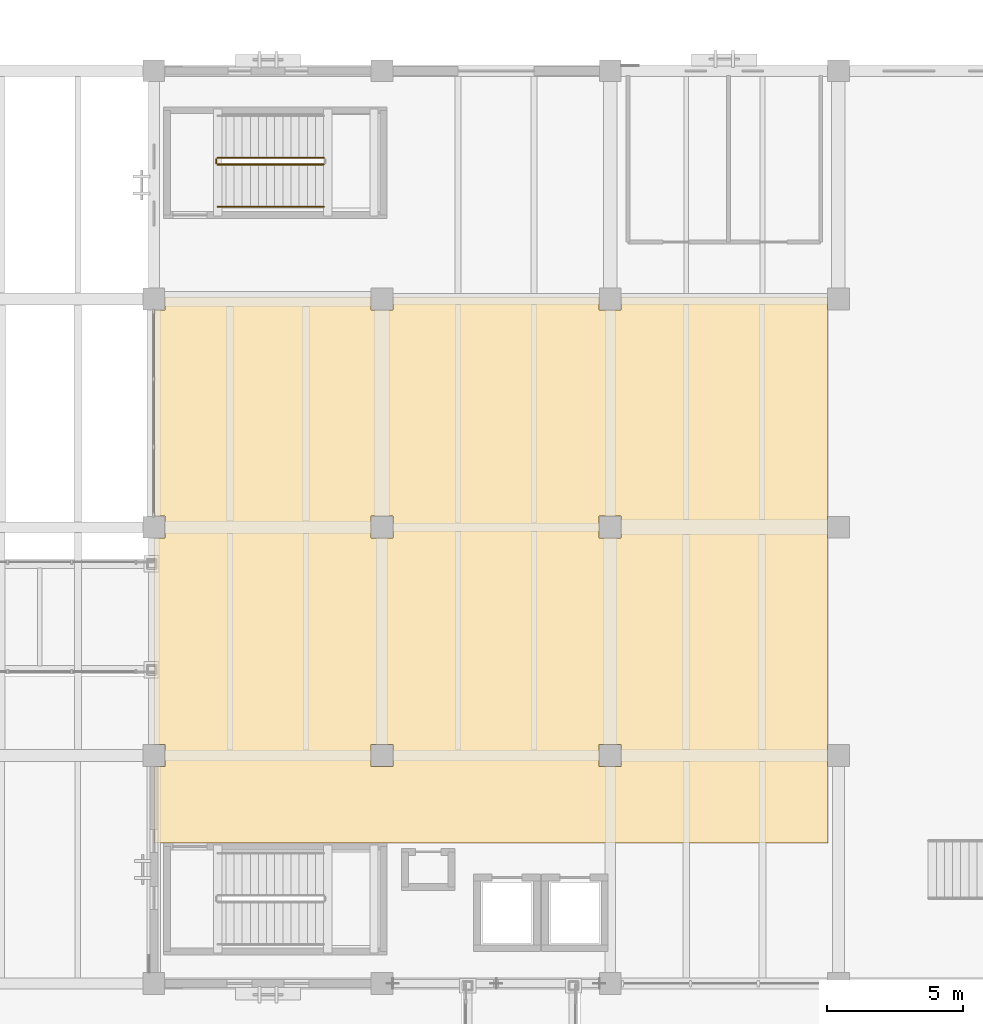
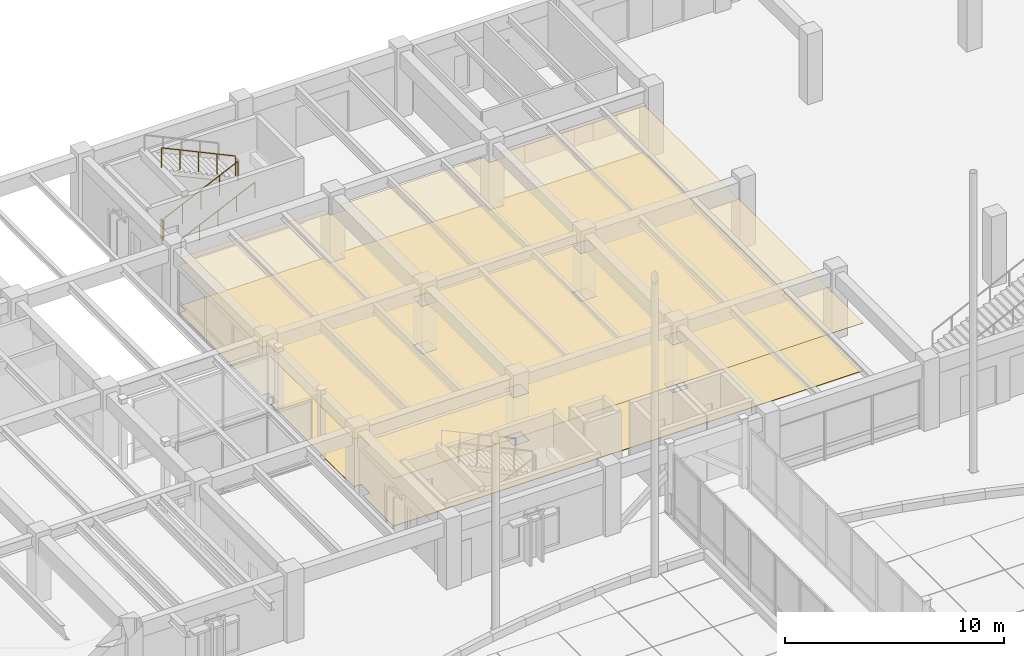
# One storey, part 124 of 135: 4 railings, 2 coverings.
"""IFC4 building model written with IfcOpenShell, lengths in metres."""

from ifc_helpers import new_model, si_unit, direction, frame, origin, origin_2d, place, context, subcontext, project, spatial, polyline, circle, outline, extrude, material, layer, layer_set, type_object, element, save


model = new_model("IFC4")

# Units and contexts
model_context = context("Model", 3, precision=1e-05, world=origin(), true_north=direction((0.0, 1.0)))
body_context = subcontext(model_context, "Body", "Model", "MODEL_VIEW")
ifc_project = project(units=[si_unit("LENGTHUNIT", "METRE"), si_unit("AREAUNIT", "SQUARE_METRE"), si_unit("VOLUMEUNIT", "CUBIC_METRE"), si_unit("PLANEANGLEUNIT", "RADIAN"), si_unit("MASSUNIT", "GRAM", prefix="KILO")], contexts=[model_context])

# Site, building, storey
site_placement = place(None, origin())
site = spatial("IfcSite", under=ifc_project, at=site_placement, CompositionType="ELEMENT")
building_placement = place(site_placement, origin())
building = spatial("IfcBuilding", under=site, at=building_placement, Name="Cumbredor Promenade Congress Hotel", CompositionType="ELEMENT")
storey_placement = place(building_placement, origin())
storey = spatial("IfcBuildingStorey", under=building, at=storey_placement, Name="L00", CompositionType="ELEMENT", Elevation=0.0)

# Covering
ifc_material_1 = material(Name="Acoustic mineral-fiber and gypsum ceiling")
ifc_layer_1 = layer(ifc_material_1, 0.028076171875, Name="Acoustic mineral-fiber and gypsum ceiling")
ifc_layer_set_1 = layer_set([ifc_layer_1], Name="Acoustic mineral-fiber and gypsum ceiling")
covering_type_1 = type_object("IfcCoveringType", Name="Acoustic Perforated Gypsum Ceiling CLG-03 28mm", PredefinedType="CEILING", material=ifc_layer_set_1)
covering_1_placement = place(storey_placement, frame((0.0, 0.0, 2.6630859375)))
element("IfcCovering", 1, at=covering_1_placement, inside=storey, type_object=covering_type_1, Name="Congress Delegates Registration Hall Acoustic Ceiling", PredefinedType="CEILING", context=body_context, shape_type="SweptSolid", body=[
    extrude(outline(polyline([(100.39501953125, 109.27001953125), (100.39501953125, 108.794921875), (101.205078125, 108.794921875), (101.205078125, 109.27001953125), (108.794921875, 109.27001953125), (108.794921875, 108.794921875), (109.60498046875, 108.794921875), (109.60498046875, 109.27001953125), (117.195068359375, 109.27001953125), (117.195068359375, 108.794921875), (117.219970703125, 108.794921875), (117.219970703125, 101.205078125), (117.195068359375, 101.205078125), (117.195068359375, 100.39501953125), (117.219970703125, 100.39501953125), (117.219970703125, 92.804931640625), (117.195068359375, 92.804931640625), (117.195068359375, 91.9951171875), (117.219970703125, 91.9951171875), (117.219970703125, 89.179931640625), (92.429931640625, 89.179931640625), (92.429931640625, 91.9951171875), (92.804931640625, 91.9951171875), (92.804931640625, 92.804931640625), (92.429931640625, 92.804931640625), (92.429931640625, 100.39501953125), (92.804931640625, 100.39501953125), (92.804931640625, 101.205078125), (92.429931640625, 101.205078125), (92.429931640625, 108.794921875), (92.804931640625, 108.794921875), (92.804931640625, 109.27001953125), (100.39501953125, 109.27001953125)]), holes=[polyline([(101.205078125, 92.804931640625), (100.39501953125, 92.804931640625), (100.39501953125, 91.9951171875), (101.205078125, 91.9951171875), (101.205078125, 92.804931640625)]), polyline([(101.205078125, 100.39501953125), (101.205078125, 101.205078125), (100.39501953125, 101.205078125), (100.39501953125, 100.39501953125), (101.205078125, 100.39501953125)]), polyline([(108.794921875, 92.804931640625), (108.794921875, 91.9951171875), (109.60498046875, 91.9951171875), (109.60498046875, 92.804931640625), (108.794921875, 92.804931640625)]), polyline([(109.60498046875, 101.205078125), (108.794921875, 101.205078125), (108.794921875, 100.39501953125), (109.60498046875, 100.39501953125), (109.60498046875, 101.205078125)])]), origin(), (0.0, 0.0, 1.0), 0.02783203125),
])

# Railings
ifc_material_2 = material(Name="Brushed stainless steel", Category="steel")
railing_type_1 = type_object("IfcRailingType", Name="Interior Void & Stair Guardrail GR-1100", PredefinedType="GUARDRAIL", material=ifc_material_2)
railing_1_placement = place(storey_placement, frame((94.75, 114.14990234375, 0.139892578125)))
element("IfcRailing", 2, at=railing_1_placement, inside=storey, type_object=railing_type_1, Name="L00 ST-15 stair guard 1", PredefinedType="GUARDRAIL", context=body_context, shape_type="SweptSolid", body=[
    extrude(circle(Radius=0.02392578125, at=origin_2d()), frame((0.0, 0.0, 1.09619140625), z_axis=(0.906172994947, 0.0, 0.42290720404), x_axis=(0.0, 1.0, 0.0)), (0.0, 0.0, 1.0), 4.3037109375),
    extrude(circle(Radius=0.02099609375, at=origin_2d()), origin(), (0.0, 0.0, 1.0), 1.072021484375),
    extrude(circle(Radius=0.02099609375, at=origin_2d()), frame((0.97509765625, 0.0, 0.455078125)), (0.0, 0.0, 1.0), 1.072021484375),
    extrude(circle(Radius=0.02099609375, at=origin_2d()), frame((1.949951171875, 0.0, 0.91015625)), (0.0, 0.0, 1.0), 1.072021484375),
    extrude(circle(Radius=0.02099609375, at=origin_2d()), frame((2.9248046875, 0.0, 1.364990234375)), (0.0, 0.0, 1.0), 1.072021484375),
    extrude(circle(Radius=0.02099609375, at=origin_2d()), frame((3.89990234375, 0.0, 1.820068359375)), (0.0, 0.0, 1.0), 1.072021484375),
])
railing_2_placement = place(storey_placement, frame((98.64990234375, 114.39990234375, 2.10009765625)))
element("IfcRailing", 3, at=railing_2_placement, inside=storey, type_object=railing_type_1, Name="L00 ST-15 stair guard 3", PredefinedType="GUARDRAIL", context=body_context, shape_type="SweptSolid", body=[
    extrude(circle(Radius=0.02392578125, at=origin_2d()), frame((0.0, 0.0, 1.09619140625), z_axis=(-0.906194733976, 0.0, 0.422860620199), x_axis=(0.0, -1.0, 0.0)), (0.0, 0.0, 1.0), 4.3037109375),
    extrude(circle(Radius=0.02099609375, at=origin_2d()), origin(), (0.0, 0.0, 1.0), 1.072021484375),
    extrude(circle(Radius=0.02099609375, at=origin_2d()), frame((-0.97509765625, 0.0, 0.455078125)), (0.0, 0.0, 1.0), 1.072021484375),
    extrude(circle(Radius=0.02099609375, at=origin_2d()), frame((-1.949951171875, 0.0, 0.909912109375)), (0.0, 0.0, 1.0), 1.072021484375),
    extrude(circle(Radius=0.02099609375, at=origin_2d()), frame((-2.9248046875, 0.0, 1.36474609375)), (0.0, 0.0, 1.0), 1.072021484375),
    extrude(circle(Radius=0.02099609375, at=origin_2d()), frame((-3.89990234375, 0.0, 1.81982421875)), (0.0, 0.0, 1.0), 1.072021484375),
])
railing_3_placement = place(storey_placement, frame((94.699951171875, 114.199951171875, 0.0)))
element("IfcRailing", 4, at=railing_3_placement, inside=storey, type_object=railing_type_1, Name="L00 ST-15 stair guard 4", PredefinedType="GUARDRAIL", context=body_context, shape_type="SweptSolid", body=[
    extrude(circle(Radius=0.02392578125, at=origin_2d()), frame((0.0, 0.0, 1.09619140625), z_axis=(0.0, 1.0, 0.0), x_axis=(-1.0, 0.0, 0.0)), (0.0, 0.0, 1.0), 0.150146484375),
    extrude(circle(Radius=0.02099609375, at=origin_2d()), origin(), (0.0, 0.0, 1.0), 1.072021484375),
    extrude(circle(Radius=0.02099609375, at=origin_2d()), frame((0.0, 0.150146484375, 0.0)), (0.0, 0.0, 1.0), 1.072021484375),
])

# Covering
ifc_material_3 = material(Name="Porcelain stoneware tile", Category="masonry")
ifc_layer_2 = layer(ifc_material_3, 0.02490234375, Name="Porcelain stoneware tile", Category="masonry")
ifc_layer_set_2 = layer_set([ifc_layer_2], Name="Porcelain stoneware tile")
covering_type_2 = type_object("IfcCoveringType", Name="Porcelain Stoneware Flooring FLR-02 25mm", PredefinedType="FLOORING", material=ifc_layer_set_2)
covering_2_placement = place(storey_placement, origin())
element("IfcCovering", 5, at=covering_2_placement, inside=storey, type_object=covering_type_2, Name="Congress Delegates Registration Hall Porcelain Flooring", PredefinedType="FLOORING", context=body_context, shape_type="SweptSolid", body=[
    extrude(outline(polyline([(100.39501953125, 109.27001953125), (100.39501953125, 108.794921875), (101.205078125, 108.794921875), (101.205078125, 109.27001953125), (108.794921875, 109.27001953125), (108.794921875, 108.794921875), (109.60498046875, 108.794921875), (109.60498046875, 109.27001953125), (117.195068359375, 109.27001953125), (117.195068359375, 108.794921875), (117.219970703125, 108.794921875), (117.219970703125, 101.205078125), (117.195068359375, 101.205078125), (117.195068359375, 100.39501953125), (117.219970703125, 100.39501953125), (117.219970703125, 92.804931640625), (117.195068359375, 92.804931640625), (117.195068359375, 91.9951171875), (117.219970703125, 91.9951171875), (117.219970703125, 89.179931640625), (92.429931640625, 89.179931640625), (92.429931640625, 91.9951171875), (92.804931640625, 91.9951171875), (92.804931640625, 92.804931640625), (92.429931640625, 92.804931640625), (92.429931640625, 100.39501953125), (92.804931640625, 100.39501953125), (92.804931640625, 101.205078125), (92.429931640625, 101.205078125), (92.429931640625, 108.794921875), (92.804931640625, 108.794921875), (92.804931640625, 109.27001953125), (100.39501953125, 109.27001953125)]), holes=[polyline([(101.205078125, 92.804931640625), (100.39501953125, 92.804931640625), (100.39501953125, 91.9951171875), (101.205078125, 91.9951171875), (101.205078125, 92.804931640625)]), polyline([(101.205078125, 100.39501953125), (101.205078125, 101.205078125), (100.39501953125, 101.205078125), (100.39501953125, 100.39501953125), (101.205078125, 100.39501953125)]), polyline([(108.794921875, 92.804931640625), (108.794921875, 91.9951171875), (109.60498046875, 91.9951171875), (109.60498046875, 92.804931640625), (108.794921875, 92.804931640625)]), polyline([(109.60498046875, 101.205078125), (108.794921875, 101.205078125), (108.794921875, 100.39501953125), (109.60498046875, 100.39501953125), (109.60498046875, 101.205078125)])]), origin(), (0.0, 0.0, 1.0), 0.02490234375),
])

# Railing
railing_type_2 = type_object("IfcRailingType", Name="Stair Pitch Handrail HR-900", PredefinedType="HANDRAIL", material=ifc_material_2)
railing_4_placement = place(storey_placement, frame((94.75, 112.60009765625, 0.139892578125)))
element("IfcRailing", 6, at=railing_4_placement, inside=storey, type_object=railing_type_2, Name="L00 ST-15 stair handrail 1", PredefinedType="HANDRAIL", context=body_context, shape_type="SweptSolid", body=[
    extrude(circle(Radius=0.02392578125, at=origin_2d()), frame((0.0, 0.0, 0.8759765625), z_axis=(0.906172994947, 0.0, 0.42290720404), x_axis=(0.0, 1.0, 0.0)), (0.0, 0.0, 1.0), 4.3037109375),
    extrude(circle(Radius=0.02099609375, at=origin_2d()), origin(), (0.0, 0.0, 1.0), 0.851806640625),
    extrude(circle(Radius=0.02099609375, at=origin_2d()), frame((0.97509765625, 0.0, 0.455078125)), (0.0, 0.0, 1.0), 0.851806640625),
    extrude(circle(Radius=0.02099609375, at=origin_2d()), frame((1.949951171875, 0.0, 0.91015625)), (0.0, 0.0, 1.0), 0.851806640625),
    extrude(circle(Radius=0.02099609375, at=origin_2d()), frame((2.9248046875, 0.0, 1.364990234375)), (0.0, 0.0, 1.0), 0.851806640625),
    extrude(circle(Radius=0.02099609375, at=origin_2d()), frame((3.89990234375, 0.0, 1.820068359375)), (0.0, 0.0, 1.0), 0.851806640625),
])

save(model, "model.ifc")
